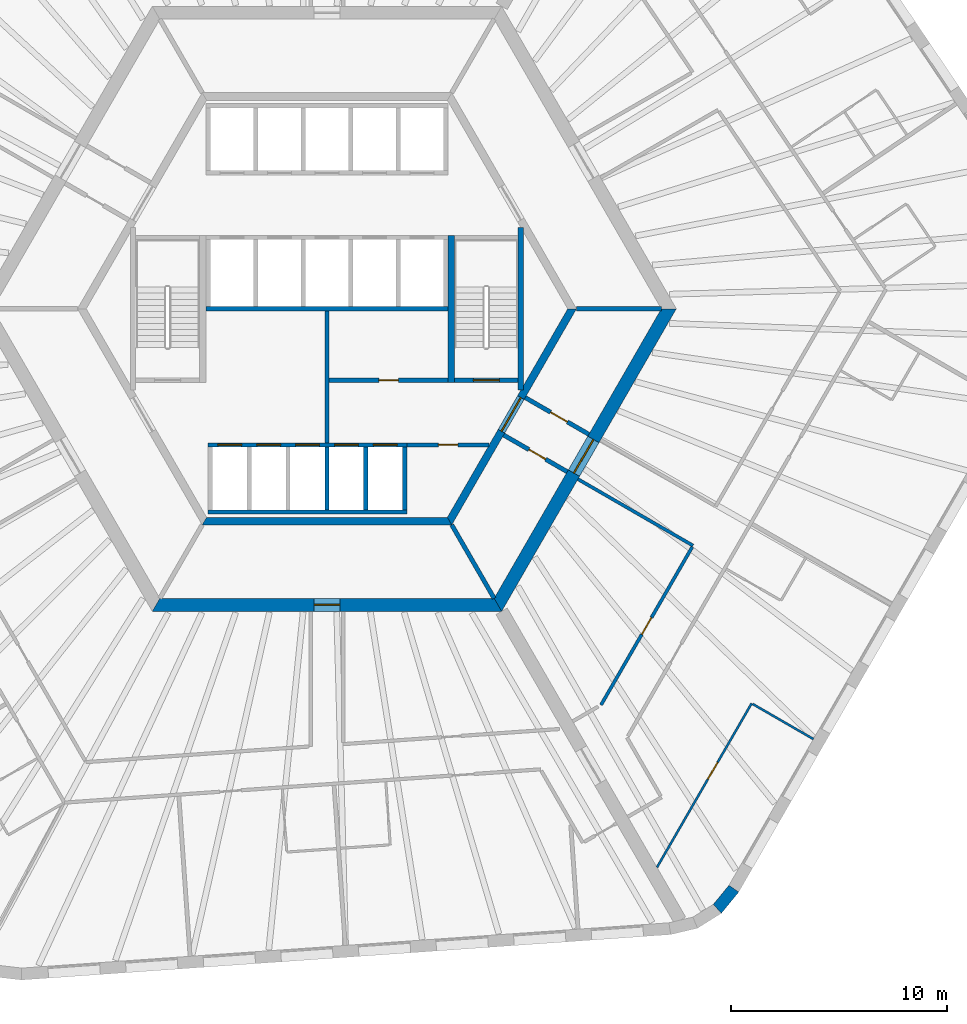
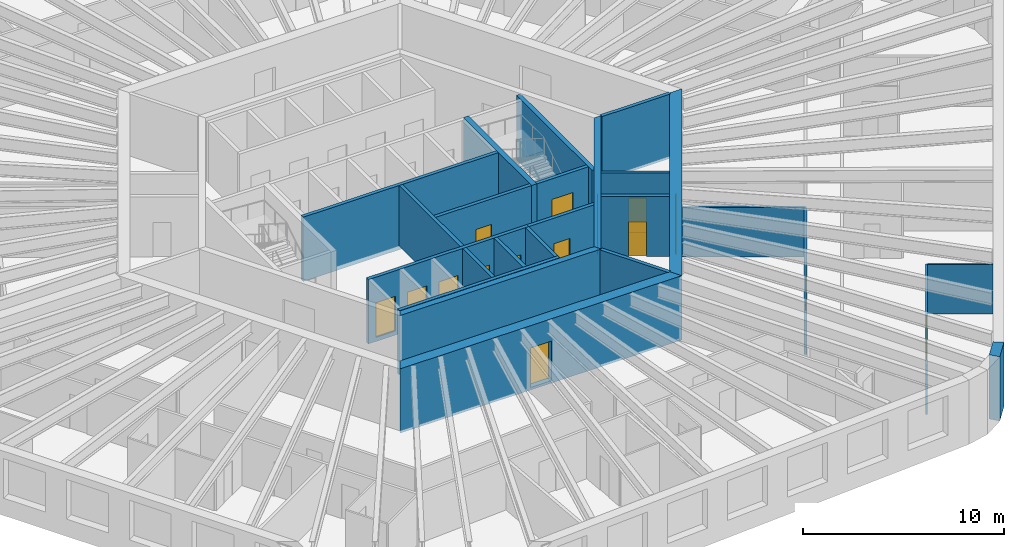
# One storey, part 5 of 12: 25 walls, 15 doors, 15 openings.
"""IFC4 building model written with IfcOpenShell, lengths in metres."""

from ifc_helpers import new_model, si_unit, direction, frame, frame_2d, origin, place, context, subcontext, project, spatial, polyline, rectangle, outline, extrude, material, layer, layer_set, type_object, element, fill, save


model = new_model("IFC4")

# Units and contexts
model_context = context("Model", 3, precision=1e-05, world=origin(), true_north=direction((0.0, 1.0)))
body_context = subcontext(model_context, "Body", "Model", "MODEL_VIEW")
ifc_project = project(units=[si_unit("LENGTHUNIT", "METRE"), si_unit("AREAUNIT", "SQUARE_METRE"), si_unit("VOLUMEUNIT", "CUBIC_METRE"), si_unit("PLANEANGLEUNIT", "RADIAN"), si_unit("MASSUNIT", "GRAM", prefix="KILO")], contexts=[model_context])

# Site, building, storey
site_placement = place(None, origin())
site = spatial("IfcSite", under=ifc_project, at=site_placement, CompositionType="ELEMENT")
building_placement = place(site_placement, origin())
building = spatial("IfcBuilding", under=site, at=building_placement, Name="Tarnside Tower", CompositionType="ELEMENT")
storey_placement = place(building_placement, frame((0.0, 0.0, 76.5)))
storey = spatial("IfcBuildingStorey", under=building, at=storey_placement, Name="L16", CompositionType="ELEMENT", Elevation=76.5)

# Wall
ifc_material_1 = material(Name="Concrete C50/60", Category="concrete")
ifc_layer_1 = layer(ifc_material_1, 0.35009765625)
ifc_layer_set_1 = layer_set([ifc_layer_1], Name="Core block wall 350 C50/60")
wall_type_1 = type_object("IfcWallType", Name="Core block wall 350 C50/60", PredefinedType="SHEAR", material=ifc_layer_set_1)
wall_1_placement = place(storey_placement, frame((-5.672607421875, -9.824951171875, -0.14990234375), z_axis=(0.0, 0.0, 1.0), x_axis=(1.0, 0.0, 0.0)))
element("IfcWall", 1, at=wall_1_placement, inside=storey, type_object=wall_type_1, Name="L16 core block wall face 4", PredefinedType="SHEAR", context=body_context, shape_type="SweptSolid", body=[
    extrude(outline(polyline([(-0.10107421875, -0.175048828125), (11.4462890625, -0.175048828125), (11.244140625, 0.175048828125), (0.10107421875, 0.175048828125), (-0.10107421875, -0.175048828125)])), origin(), (0.0, 0.0, 1.0), 3.89990234375),
])

# Wall, opening, door
wall_2_placement = place(storey_placement, frame((5.672607421875, -9.824951171875, -0.14990234375), z_axis=(0.0, 0.0, 1.0), x_axis=(0.499995046907, 0.866028263435, 0.0)))
wall_2 = element("IfcWall", 2, at=wall_2_placement, inside=storey, type_object=wall_type_1, Name="L16 core block wall face 5", PredefinedType="SHEAR", context=body_context, shape_type="SweptSolid", body=[
    extrude(outline(polyline([(-0.10107421875, -0.175048828125), (11.44580078125, -0.175048828125), (11.24365234375, 0.175048828125), (0.10107421875, 0.175048828125), (-0.10107421875, -0.175048828125)])), origin(), (0.0, 0.0, 1.0), 3.89990234375),
])
opening_1_placement = place(wall_2_placement, frame((4.80126953125, 0.0, 0.14990234375)))
opening_1 = element("IfcOpeningElement", 3, at=opening_1_placement, cuts=wall_2, Name="Opening CD-FFL", PredefinedType="OPENING", context=body_context, shape_type="SweptSolid", body=[
    extrude(rectangle(XDim=1.800048828125, YDim=2.39990234375, at=frame_2d((0.89990234375, 1.199951171875))), frame((0.0, 0.18505859375, 0.0), z_axis=(0.0, -1.0, 0.0), x_axis=(1.0, 0.0, 0.0)), (0.0, 0.0, 1.0), 0.3701171875),
])
ifc_material_2 = material(Name="Steel fire door", Category="steel")
door_type_1 = type_object("IfcDoorType", Name="Firefighting lobby double door FD60S 1800x2400", OperationType="NOTDEFINED", PredefinedType="DOOR", material=ifc_material_2)
door_1_placement = place(opening_1_placement, origin())
door_1 = element("IfcDoor", 4, at=door_1_placement, inside=storey, type_object=door_type_1, Name="L16 lobby block door P4", OperationType="DOUBLE_DOOR_SINGLE_SWING", OverallHeight=2.39990234375, OverallWidth=1.800048828125, PredefinedType="DOOR", context=body_context, shape_type="SweptSolid", body=[
    extrude(rectangle(XDim=1.800048828125, YDim=2.39990234375, at=frame_2d((0.89990234375, 1.199951171875))), frame((0.0, 0.02490234375, 0.0), z_axis=(0.0, -1.0, 0.0), x_axis=(1.0, 0.0, 0.0)), (0.0, 0.0, 1.0), 0.050048828125),
])
fill(opening_1, door_1)

ifc_material_3 = material(Name="Concrete C40/50", Category="concrete")
ifc_layer_2 = layer(ifc_material_3, 0.199951171875)
ifc_layer_set_2 = layer_set([ifc_layer_2], Name="Core room partition 200 C40/50")
wall_type_2 = type_object("IfcWallType", Name="Core room partition 200 C40/50", PredefinedType="PARTITIONING", material=ifc_layer_set_2)
wall_3_placement = place(storey_placement, frame((0.10009765625, -3.300048828125, 0.0), z_axis=(0.0, 0.0, 1.0), x_axis=(1.0, 0.0, 0.0)))
wall_3 = element("IfcWall", 5, at=wall_3_placement, inside=storey, type_object=wall_type_2, Name="L16 core partition R3S1", PredefinedType="PARTITIONING", context=body_context, shape_type="SweptSolid", body=[
    extrude(rectangle(XDim=5.5, YDim=0.199951171875, at=frame_2d((2.75, 0.0))), origin(), (0.0, 0.0, 1.0), 3.64990234375),
])
opening_2_placement = place(wall_3_placement, frame((2.300048828125, 0.0, 0.0)))
opening_2 = element("IfcOpeningElement", 6, at=opening_2_placement, cuts=wall_3, Name="Opening CD-room", PredefinedType="OPENING", context=body_context, shape_type="SweptSolid", body=[
    extrude(rectangle(XDim=0.89990234375, YDim=2.10009765625, at=frame_2d((0.449951171875, 1.050048828125))), frame((0.0, 0.10986328125, 0.0), z_axis=(0.0, -1.0, 0.0), x_axis=(1.0, 0.0, 0.0)), (0.0, 0.0, 1.0), 0.219970703125),
])
door_type_2 = type_object("IfcDoorType", Name="Room door FD60 900x2100", OperationType="NOTDEFINED", PredefinedType="DOOR", material=ifc_material_2)
door_2_placement = place(opening_2_placement, origin())
door_2 = element("IfcDoor", 7, at=door_2_placement, inside=storey, type_object=door_type_2, Name="L16 core room door SR1", OperationType="SINGLE_SWING_LEFT", OverallHeight=2.10009765625, OverallWidth=0.89990234375, PredefinedType="DOOR", context=body_context, shape_type="SweptSolid", body=[
    extrude(rectangle(XDim=0.89990234375, YDim=2.10009765625, at=frame_2d((0.449951171875, 1.050048828125))), frame((0.0, 0.02490234375, 0.0), z_axis=(0.0, -1.0, 0.0), x_axis=(1.0, 0.0, 0.0)), (0.0, 0.0, 1.0), 0.050048828125),
])
fill(opening_2, door_2)

# Wall
wall_4_placement = place(storey_placement, frame((0.0, -6.199951171875, 0.0), z_axis=(0.0, 0.0, 1.0), x_axis=(0.0, 1.0, 0.0)))
element("IfcWall", 8, at=wall_4_placement, inside=storey, type_object=wall_type_2, Name="L16 core partition X0", PredefinedType="PARTITIONING", context=body_context, shape_type="SweptSolid", body=[
    extrude(rectangle(XDim=6.099853515625, YDim=0.199951171875, at=frame_2d((3.0498046875, 0.0))), origin(), (0.0, 0.0, 1.0), 3.64990234375),
])

# Wall, opening, door
wall_5_placement = place(storey_placement, frame((3.699951171875, -6.300048828125, 0.0), z_axis=(0.0, 0.0, 1.0), x_axis=(1.0, 0.0, 0.0)))
wall_5 = element("IfcWall", 9, at=wall_5_placement, inside=storey, type_object=wall_type_2, Name="L16 core partition R4X", PredefinedType="PARTITIONING", context=body_context, shape_type="SweptSolid", body=[
    extrude(rectangle(XDim=3.8056640625, YDim=0.199951171875, at=frame_2d((1.90283203125, 0.0))), origin(), (0.0, 0.0, 1.0), 3.64990234375),
])
opening_3_placement = place(wall_5_placement, frame((1.452880859375, 0.0, 0.0)))
opening_3 = element("IfcOpeningElement", 10, at=opening_3_placement, cuts=wall_5, Name="Opening CD-room", PredefinedType="OPENING", context=body_context, shape_type="SweptSolid", body=[
    extrude(rectangle(XDim=0.89990234375, YDim=2.10009765625, at=frame_2d((0.449951171875, 1.050048828125))), frame((0.0, 0.10986328125, 0.0), z_axis=(0.0, -1.0, 0.0), x_axis=(1.0, 0.0, 0.0)), (0.0, 0.0, 1.0), 0.219970703125),
])
door_3_placement = place(opening_3_placement, origin())
door_3 = element("IfcDoor", 11, at=door_3_placement, inside=storey, type_object=door_type_2, Name="L16 core room door RX", OperationType="SINGLE_SWING_LEFT", OverallHeight=2.10009765625, OverallWidth=0.89990234375, PredefinedType="DOOR", context=body_context, shape_type="SweptSolid", body=[
    extrude(rectangle(XDim=0.89990234375, YDim=2.10009765625, at=frame_2d((0.449951171875, 1.050048828125))), frame((0.0, 0.02490234375, 0.0), z_axis=(0.0, -1.0, 0.0), x_axis=(1.0, 0.0, 0.0)), (0.0, 0.0, 1.0), 0.050048828125),
])
fill(opening_3, door_3)

wall_6_placement = place(storey_placement, frame((9.1748046875, -4.10888671875, 0.0), z_axis=(0.0, 0.0, 1.0), x_axis=(0.865989465428, -0.500062241894, 0.0)))
wall_6 = element("IfcWall", 12, at=wall_6_placement, inside=storey, type_object=wall_type_2, Name="L16 core partition AC4L", PredefinedType="PARTITIONING", context=body_context, shape_type="SweptSolid", body=[
    extrude(rectangle(XDim=3.39990234375, YDim=0.199951171875, at=frame_2d((1.699951171875, 0.0))), origin(), (0.0, 0.0, 1.0), 3.64990234375),
])
opening_4_placement = place(wall_6_placement, frame((1.3505859375, 0.0, 0.0)))
opening_4 = element("IfcOpeningElement", 13, at=opening_4_placement, cuts=wall_6, Name="Opening CD-room", PredefinedType="OPENING", context=body_context, shape_type="SweptSolid", body=[
    extrude(rectangle(XDim=0.89990234375, YDim=2.10009765625, at=frame_2d((0.449951171875, 1.050048828125))), frame((0.0, 0.10986328125, 0.0), z_axis=(0.0, -1.0, 0.0), x_axis=(1.0, 0.0, 0.0)), (0.0, 0.0, 1.0), 0.219970703125),
])
door_4_placement = place(opening_4_placement, origin())
door_4 = element("IfcDoor", 14, at=door_4_placement, inside=storey, type_object=door_type_2, Name="L16 core room door AX4L", OperationType="SINGLE_SWING_LEFT", OverallHeight=2.10009765625, OverallWidth=0.89990234375, PredefinedType="DOOR", context=body_context, shape_type="SweptSolid", body=[
    extrude(rectangle(XDim=0.89990234375, YDim=2.10009765625, at=frame_2d((0.449951171875, 1.050048828125))), frame((0.0, 0.02490234375, 0.0), z_axis=(0.0, -1.0, 0.0), x_axis=(1.0, 0.0, 0.0)), (0.0, 0.0, 1.0), 0.050048828125),
])
fill(opening_4, door_4)

wall_7_placement = place(storey_placement, frame((8.1748046875, -5.841064453125, 0.0), z_axis=(0.0, 0.0, 1.0), x_axis=(0.866020560687, -0.500008388397, 0.0)))
wall_7 = element("IfcWall", 15, at=wall_7_placement, inside=storey, type_object=wall_type_2, Name="L16 core partition AC4R", PredefinedType="PARTITIONING", context=body_context, shape_type="SweptSolid", body=[
    extrude(rectangle(XDim=3.39990234375, YDim=0.199951171875, at=frame_2d((1.699951171875, 0.0))), origin(), (0.0, 0.0, 1.0), 3.64990234375),
])
opening_5_placement = place(wall_7_placement, frame((1.349609375, 0.0, 0.0)))
opening_5 = element("IfcOpeningElement", 16, at=opening_5_placement, cuts=wall_7, Name="Opening CD-room", PredefinedType="OPENING", context=body_context, shape_type="SweptSolid", body=[
    extrude(rectangle(XDim=0.89990234375, YDim=2.10009765625, at=frame_2d((0.449951171875, 1.050048828125))), frame((0.0, 0.10986328125, 0.0), z_axis=(0.0, -1.0, 0.0), x_axis=(1.0, 0.0, 0.0)), (0.0, 0.0, 1.0), 0.219970703125),
])
door_5_placement = place(opening_5_placement, origin())
door_5 = element("IfcDoor", 17, at=door_5_placement, inside=storey, type_object=door_type_2, Name="L16 core room door AX4R", OperationType="SINGLE_SWING_LEFT", OverallHeight=2.10009765625, OverallWidth=0.89990234375, PredefinedType="DOOR", context=body_context, shape_type="SweptSolid", body=[
    extrude(rectangle(XDim=0.89990234375, YDim=2.10009765625, at=frame_2d((0.449951171875, 1.050048828125))), frame((0.0, 0.02490234375, 0.0), z_axis=(0.0, -1.0, 0.0), x_axis=(1.0, 0.0, 0.0)), (0.0, 0.0, 1.0), 0.050048828125),
])
fill(opening_5, door_5)

ifc_material_4 = material(Name="Concrete C80/95", Category="concrete")
ifc_layer_3 = layer(ifc_material_4, 0.60009765625)
ifc_layer_set_3 = layer_set([ifc_layer_3], Name="Core wall Z1 600 C80/95")
wall_type_3 = type_object("IfcWallType", Name="Core wall Z1 600 C80/95", PredefinedType="SHEAR", material=ifc_layer_set_3)
wall_8_placement = place(storey_placement, frame((-7.90966796875, -13.699951171875, -0.14990234375), z_axis=(0.0, 0.0, 1.0), x_axis=(1.0, 0.0, 0.0)))
wall_8 = element("IfcWall", 18, at=wall_8_placement, inside=storey, type_object=wall_type_3, Name="L16 core wall face 4", PredefinedType="SHEAR", context=body_context, shape_type="SweptSolid", body=[
    extrude(outline(polyline([(-0.17333984375, -0.300048828125), (15.99267578125, -0.300048828125), (15.64599609375, 0.300048828125), (0.17333984375, 0.300048828125), (-0.17333984375, -0.300048828125)])), origin(), (0.0, 0.0, 1.0), 3.89990234375),
])
opening_6_placement = place(wall_8_placement, frame((7.309814453125, 0.0, 0.14990234375)))
opening_6 = element("IfcOpeningElement", 19, at=opening_6_placement, cuts=wall_8, Name="Opening CD-RSR", PredefinedType="OPENING", context=body_context, shape_type="SweptSolid", body=[
    extrude(rectangle(XDim=1.199951171875, YDim=2.39990234375, at=frame_2d((0.60009765625, 1.199951171875))), frame((0.0, 0.31005859375, 0.0), z_axis=(0.0, -1.0, 0.0), x_axis=(1.0, 0.0, 0.0)), (0.0, 0.0, 1.0), 0.6201171875),
])
door_type_3 = type_object("IfcDoorType", Name="Riser door FD60 1200x2400", OperationType="NOTDEFINED", PredefinedType="DOOR", material=ifc_material_2)
door_6_placement = place(opening_6_placement, origin())
door_6 = element("IfcDoor", 20, at=door_6_placement, inside=storey, type_object=door_type_3, Name="L16 core door S6", OperationType="SINGLE_SWING_LEFT", OverallHeight=2.39990234375, OverallWidth=1.199951171875, PredefinedType="DOOR", context=body_context, shape_type="SweptSolid", body=[
    extrude(rectangle(XDim=1.199951171875, YDim=2.39990234375, at=frame_2d((0.60009765625, 1.199951171875))), frame((0.0, 0.02490234375, 0.0), z_axis=(0.0, -1.0, 0.0), x_axis=(1.0, 0.0, 0.0)), (0.0, 0.0, 1.0), 0.050048828125),
])
fill(opening_6, door_6)

wall_9_placement = place(storey_placement, frame((7.90966796875, -13.699951171875, -0.14990234375), z_axis=(0.0, 0.0, 1.0), x_axis=(0.499999880136, 0.866025472988, 0.0)))
wall_9 = element("IfcWall", 21, at=wall_9_placement, inside=storey, type_object=wall_type_3, Name="L16 core wall face 5", PredefinedType="SHEAR", context=body_context, shape_type="SweptSolid", body=[
    extrude(outline(polyline([(-0.17333984375, -0.300048828125), (15.99267578125, -0.300048828125), (15.64599609375, 0.300048828125), (0.17333984375, 0.300048828125), (-0.17333984375, -0.300048828125)])), origin(), (0.0, 0.0, 1.0), 3.89990234375),
])
opening_7_placement = place(wall_9_placement, frame((7.03857421875, 0.0, 0.14990234375)))
opening_7 = element("IfcOpeningElement", 22, at=opening_7_placement, cuts=wall_9, Name="Opening CD-FFL", PredefinedType="OPENING", context=body_context, shape_type="SweptSolid", body=[
    extrude(rectangle(XDim=1.800048828125, YDim=2.39990234375, at=frame_2d((0.89990234375, 1.199951171875))), frame((0.0, 0.31005859375, 0.0), z_axis=(0.0, -1.0, 0.0), x_axis=(1.0, 0.0, 0.0)), (0.0, 0.0, 1.0), 0.6201171875),
])
door_7_placement = place(opening_7_placement, origin())
door_7 = element("IfcDoor", 23, at=door_7_placement, inside=storey, type_object=door_type_1, Name="L16 core door P4", OperationType="DOUBLE_DOOR_SINGLE_SWING", OverallHeight=2.39990234375, OverallWidth=1.800048828125, PredefinedType="DOOR", context=body_context, shape_type="SweptSolid", body=[
    extrude(rectangle(XDim=1.800048828125, YDim=2.39990234375, at=frame_2d((0.89990234375, 1.199951171875))), frame((0.0, 0.02490234375, 0.0), z_axis=(0.0, -1.0, 0.0), x_axis=(1.0, 0.0, 0.0)), (0.0, 0.0, 1.0), 0.050048828125),
])
fill(opening_7, door_7)

# Wall
ifc_material_5 = material(Name="Gypsum board partition on steel studs", Category="steel")
ifc_layer_4 = layer(ifc_material_5, 0.14990234375)
ifc_layer_set_4 = layer_set([ifc_layer_4], Name="Corridor wall 150 EI 60")
wall_type_4 = type_object("IfcWallType", Name="Corridor wall 150 EI 60", PredefinedType="PARTITIONING", material=ifc_layer_set_4)
wall_10_placement = place(storey_placement, frame((11.61376953125, -7.88427734375, 0.0), z_axis=(0.0, 0.0, 1.0), x_axis=(0.866033542371, -0.499985903289, 0.0)))
element("IfcWall", 24, at=wall_10_placement, inside=storey, type_object=wall_type_4, Name="Corridor wall 04071", PredefinedType="PARTITIONING", context=body_context, shape_type="SweptSolid", body=[
    extrude(rectangle(XDim=6.150146484375, YDim=0.14990234375, at=frame_2d((3.0751953125, 0.0))), origin(), (0.0, 0.0, 1.0), 2.98779296875),
])

# Wall, opening, door
wall_11_placement = place(storey_placement, frame((16.90234375, -11.024169921875, 0.0), z_axis=(0.0, 0.0, 1.0), x_axis=(-0.499999527968, -0.866025676312, 0.0)))
wall_11 = element("IfcWall", 25, at=wall_11_placement, inside=storey, type_object=wall_type_4, Name="Corridor wall 04072", PredefinedType="PARTITIONING", context=body_context, shape_type="SweptSolid", body=[
    extrude(rectangle(XDim=8.44091796875, YDim=0.14990234375, at=frame_2d((4.220458984375, 0.0))), origin(), (0.0, 0.0, 1.0), 2.98779296875),
])
opening_8_placement = place(wall_11_placement, frame((3.7705078125, 0.0, 0.0)))
opening_8 = element("IfcOpeningElement", 26, at=opening_8_placement, cuts=wall_11, Name="Opening D-S1", PredefinedType="OPENING", context=body_context, shape_type="SweptSolid", body=[
    extrude(rectangle(XDim=0.89990234375, YDim=2.10009765625, at=frame_2d((0.449951171875, 1.050048828125))), frame((0.0, 0.0849609375, 0.0), z_axis=(0.0, -1.0, 0.0), x_axis=(1.0, 0.0, 0.0)), (0.0, 0.0, 1.0), 0.169921875),
])
ifc_material_6 = material(Name="Timber door leaf", Category="wood")
door_type_4 = type_object("IfcDoorType", Name="Service room door 900 FD30S", OperationType="NOTDEFINED", PredefinedType="DOOR", material=ifc_material_6)
door_8_placement = place(opening_8_placement, origin())
door_8 = element("IfcDoor", 27, at=door_8_placement, inside=storey, type_object=door_type_4, Name="Service door 04048", OperationType="SINGLE_SWING_RIGHT", OverallHeight=2.10009765625, OverallWidth=0.89990234375, PredefinedType="DOOR", context=body_context, shape_type="SweptSolid", body=[
    extrude(rectangle(XDim=0.89990234375, YDim=2.10009765625, at=frame_2d((0.449951171875, 1.050048828125))), frame((0.0, 0.02490234375, 0.0), z_axis=(0.0, -1.0, 0.0), x_axis=(1.0, 0.0, 0.0)), (0.0, 0.0, 1.0), 0.050048828125),
])
fill(opening_8, door_8)

# Wall
ifc_layer_5 = layer(ifc_material_3, 0.199951171875)
ifc_layer_set_5 = layer_set([ifc_layer_5], Name="Lift shaft wall 200 C40/50")
wall_type_5 = type_object("IfcWallType", Name="Lift shaft wall 200 C40/50", PredefinedType="SHEAR", material=ifc_layer_set_5)
wall_12_placement = place(storey_placement, frame((-5.60009765625, 0.0, -0.25), z_axis=(0.0, 0.0, 1.0), x_axis=(1.0, 0.0, 0.0)))
element("IfcWall", 28, at=wall_12_placement, inside=storey, type_object=wall_type_5, Name="L16 lift shaft back wall R2", PredefinedType="SHEAR", context=body_context, shape_type="SweptSolid", body=[
    extrude(rectangle(XDim=11.2001953125, YDim=0.199951171875, at=frame_2d((5.60009765625, 0.0))), origin(), (0.0, 0.0, 1.0), 3.89990234375),
])

# Wall, openings, doors
wall_13_placement = place(storey_placement, frame((-5.5, -6.300048828125, -0.25), z_axis=(0.0, 0.0, 1.0), x_axis=(1.0, 0.0, 0.0)))
wall_13 = element("IfcWall", 29, at=wall_13_placement, inside=storey, type_object=wall_type_5, Name="L16 lift shaft front wall R4", PredefinedType="SHEAR", context=body_context, shape_type="SweptSolid", body=[
    extrude(rectangle(XDim=9.199951171875, YDim=0.199951171875, at=frame_2d((4.60009765625, 0.0))), origin(), (0.0, 0.0, 1.0), 3.89990234375),
])
opening_9_placement = place(wall_13_placement, frame((0.449951171875, 0.0, 0.25)))
opening_9 = element("IfcOpeningElement", 30, at=opening_9_placement, cuts=wall_13, Name="Opening LDF", PredefinedType="OPENING", context=body_context, shape_type="SweptSolid", body=[
    extrude(rectangle(XDim=1.10009765625, YDim=2.10009765625, at=frame_2d((0.550048828125, 1.050048828125))), frame((0.0, 0.10986328125, 0.0), z_axis=(0.0, -1.0, 0.0), x_axis=(1.0, 0.0, 0.0)), (0.0, 0.0, 1.0), 0.219970703125),
])
opening_10_placement = place(wall_13_placement, frame((2.25, 0.0, 0.25)))
opening_10 = element("IfcOpeningElement", 31, at=opening_10_placement, cuts=wall_13, Name="Opening LDF", PredefinedType="OPENING", context=body_context, shape_type="SweptSolid", body=[
    extrude(rectangle(XDim=1.10009765625, YDim=2.10009765625, at=frame_2d((0.550048828125, 1.050048828125))), frame((0.0, 0.10986328125, 0.0), z_axis=(0.0, -1.0, 0.0), x_axis=(1.0, 0.0, 0.0)), (0.0, 0.0, 1.0), 0.219970703125),
])
opening_11_placement = place(wall_13_placement, frame((4.050048828125, 0.0, 0.25)))
opening_11 = element("IfcOpeningElement", 32, at=opening_11_placement, cuts=wall_13, Name="Opening LDF", PredefinedType="OPENING", context=body_context, shape_type="SweptSolid", body=[
    extrude(rectangle(XDim=1.10009765625, YDim=2.10009765625, at=frame_2d((0.550048828125, 1.050048828125))), frame((0.0, 0.10986328125, 0.0), z_axis=(0.0, -1.0, 0.0), x_axis=(1.0, 0.0, 0.0)), (0.0, 0.0, 1.0), 0.219970703125),
])
opening_12_placement = place(wall_13_placement, frame((5.85009765625, 0.0, 0.25)))
opening_12 = element("IfcOpeningElement", 33, at=opening_12_placement, cuts=wall_13, Name="Opening LDF", PredefinedType="OPENING", context=body_context, shape_type="SweptSolid", body=[
    extrude(rectangle(XDim=1.10009765625, YDim=2.10009765625, at=frame_2d((0.550048828125, 1.050048828125))), frame((0.0, 0.10986328125, 0.0), z_axis=(0.0, -1.0, 0.0), x_axis=(1.0, 0.0, 0.0)), (0.0, 0.0, 1.0), 0.219970703125),
])
opening_13_placement = place(wall_13_placement, frame((7.64990234375, 0.0, 0.25)))
opening_13 = element("IfcOpeningElement", 34, at=opening_13_placement, cuts=wall_13, Name="Opening LDF", PredefinedType="OPENING", context=body_context, shape_type="SweptSolid", body=[
    extrude(rectangle(XDim=1.10009765625, YDim=2.10009765625, at=frame_2d((0.550048828125, 1.050048828125))), frame((0.0, 0.10986328125, 0.0), z_axis=(0.0, -1.0, 0.0), x_axis=(1.0, 0.0, 0.0)), (0.0, 0.0, 1.0), 0.219970703125),
])
ifc_material_7 = material(Name="Stainless steel", Category="steel")
door_type_5 = type_object("IfcDoorType", Name="Lift landing door 1100x2100 EI 120", OperationType="NOTDEFINED", PredefinedType="DOOR", material=ifc_material_7)
door_9_placement = place(opening_9_placement, origin())
door_9 = element("IfcDoor", 35, at=door_9_placement, inside=storey, type_object=door_type_5, Name="Firefighting lift 1 landing door L16", OperationType="SLIDING_TO_LEFT", OverallHeight=2.10009765625, OverallWidth=1.10009765625, PredefinedType="DOOR", context=body_context, shape_type="SweptSolid", body=[
    extrude(rectangle(XDim=1.10009765625, YDim=2.10009765625, at=frame_2d((0.550048828125, 1.050048828125))), frame((0.0, 0.02490234375, 0.0), z_axis=(0.0, -1.0, 0.0), x_axis=(1.0, 0.0, 0.0)), (0.0, 0.0, 1.0), 0.050048828125),
])
fill(opening_9, door_9)
door_10_placement = place(opening_10_placement, origin())
door_10 = element("IfcDoor", 36, at=door_10_placement, inside=storey, type_object=door_type_5, Name="Firefighting lift 2 landing door L16", OperationType="SLIDING_TO_LEFT", OverallHeight=2.10009765625, OverallWidth=1.10009765625, PredefinedType="DOOR", context=body_context, shape_type="SweptSolid", body=[
    extrude(rectangle(XDim=1.10009765625, YDim=2.10009765625, at=frame_2d((0.550048828125, 1.050048828125))), frame((0.0, 0.02490234375, 0.0), z_axis=(0.0, -1.0, 0.0), x_axis=(1.0, 0.0, 0.0)), (0.0, 0.0, 1.0), 0.050048828125),
])
fill(opening_10, door_10)
door_11_placement = place(opening_11_placement, origin())
door_11 = element("IfcDoor", 37, at=door_11_placement, inside=storey, type_object=door_type_5, Name="Firefighting lift 3 landing door L16", OperationType="SLIDING_TO_LEFT", OverallHeight=2.10009765625, OverallWidth=1.10009765625, PredefinedType="DOOR", context=body_context, shape_type="SweptSolid", body=[
    extrude(rectangle(XDim=1.10009765625, YDim=2.10009765625, at=frame_2d((0.550048828125, 1.050048828125))), frame((0.0, 0.02490234375, 0.0), z_axis=(0.0, -1.0, 0.0), x_axis=(1.0, 0.0, 0.0)), (0.0, 0.0, 1.0), 0.050048828125),
])
fill(opening_11, door_11)
door_12_placement = place(opening_12_placement, origin())
door_12 = element("IfcDoor", 38, at=door_12_placement, inside=storey, type_object=door_type_5, Name="Firefighting lift 4 landing door L16", OperationType="SLIDING_TO_LEFT", OverallHeight=2.10009765625, OverallWidth=1.10009765625, PredefinedType="DOOR", context=body_context, shape_type="SweptSolid", body=[
    extrude(rectangle(XDim=1.10009765625, YDim=2.10009765625, at=frame_2d((0.550048828125, 1.050048828125))), frame((0.0, 0.02490234375, 0.0), z_axis=(0.0, -1.0, 0.0), x_axis=(1.0, 0.0, 0.0)), (0.0, 0.0, 1.0), 0.050048828125),
])
fill(opening_12, door_12)
door_13_placement = place(opening_13_placement, origin())
door_13 = element("IfcDoor", 39, at=door_13_placement, inside=storey, type_object=door_type_5, Name="Firefighting lift 5 landing door L16", OperationType="SLIDING_TO_LEFT", OverallHeight=2.10009765625, OverallWidth=1.10009765625, PredefinedType="DOOR", context=body_context, shape_type="SweptSolid", body=[
    extrude(rectangle(XDim=1.10009765625, YDim=2.10009765625, at=frame_2d((0.550048828125, 1.050048828125))), frame((0.0, 0.02490234375, 0.0), z_axis=(0.0, -1.0, 0.0), x_axis=(1.0, 0.0, 0.0)), (0.0, 0.0, 1.0), 0.050048828125),
])
fill(opening_13, door_13)

# Walls
wall_14_placement = place(storey_placement, frame((-5.5, -9.39990234375, -0.25), z_axis=(0.0, 0.0, 1.0), x_axis=(1.0, 0.0, 0.0)))
element("IfcWall", 40, at=wall_14_placement, inside=storey, type_object=wall_type_5, Name="L16 lift shaft back wall R4", PredefinedType="SHEAR", context=body_context, shape_type="SweptSolid", body=[
    extrude(rectangle(XDim=9.199951171875, YDim=0.199951171875, at=frame_2d((4.60009765625, 0.0))), origin(), (0.0, 0.0, 1.0), 3.89990234375),
])
for number, where, z_axis, x_axis, name in (
    (41, (0.0, -9.300048828125, -0.25), (0.0, 0.0, 1.0), (0.0, 1.0, 0.0), "L16 lift shaft partition R44"),
    (42, (1.800048828125, -9.300048828125, -0.25), (0.0, 0.0, 1.0), (0.0, 1.0, 0.0), "L16 lift shaft partition R45"),
    (43, (3.60009765625, -9.300048828125, -0.25), (0.0, 0.0, 1.0), (0.0, 1.0, 0.0), "L16 lift shaft partition R46"),
):
    element("IfcWall", number, at=place(storey_placement, frame(where, z_axis=z_axis, x_axis=x_axis)), inside=storey, type_object=wall_type_5, Name=name, PredefinedType="SHEAR", context=body_context, shape_type="SweptSolid", body=[
        extrude(rectangle(XDim=2.900146484375, YDim=0.199951171875, at=frame_2d((1.4501953125, 0.0))), origin(), (0.0, 0.0, 1.0), 3.89990234375),
    ])
wall_15_placement = place(storey_placement, frame((11.547119140625, 0.0, -0.14990234375), z_axis=(0.0, 0.0, 1.0), x_axis=(1.0, 0.0, 0.0)))
element("IfcWall", 44, at=wall_15_placement, inside=storey, type_object=wall_type_5, Name="L16 core partition AR0", PredefinedType="SHEAR", context=body_context, shape_type="SweptSolid", body=[
    extrude(rectangle(XDim=3.92578125, YDim=0.199951171875, at=frame_2d((1.962890625, 0.0))), origin(), (0.0, 0.0, 1.0), 3.89990234375),
])
wall_16_placement = place(storey_placement, frame((5.7734375, -10.0, -0.14990234375), z_axis=(0.0, 0.0, 1.0), x_axis=(0.500038251005, -0.86600331843, 0.0)))
element("IfcWall", 45, at=wall_16_placement, inside=storey, type_object=wall_type_5, Name="L16 core partition AR300", PredefinedType="SHEAR", context=body_context, shape_type="SweptSolid", body=[
    extrude(rectangle(XDim=3.926025390625, YDim=0.199951171875, at=frame_2d((1.962890625, 0.0))), origin(), (0.0, 0.0, 1.0), 3.89990234375),
])

# Wall, opening, door
wall_17_placement = place(storey_placement, frame((5.89990234375, -3.300048828125, -0.25), z_axis=(0.0, 0.0, 1.0), x_axis=(1.0, 0.0, 0.0)))
wall_17 = element("IfcWall", 46, at=wall_17_placement, inside=storey, type_object=wall_type_5, Name="L16 stair 1 enclosure cap wall s", PredefinedType="SHEAR", context=body_context, shape_type="SweptSolid", body=[
    extrude(rectangle(XDim=2.9501953125, YDim=0.199951171875, at=frame_2d((1.47509765625, 0.0))), origin(), (0.0, 0.0, 1.0), 3.89990234375),
])
opening_14_placement = place(wall_17_placement, frame((0.875, 0.0, 0.25)))
opening_14 = element("IfcOpeningElement", 47, at=opening_14_placement, cuts=wall_17, Name="Opening CD-STR", PredefinedType="OPENING", context=body_context, shape_type="SweptSolid", body=[
    extrude(rectangle(XDim=1.199951171875, YDim=2.39990234375, at=frame_2d((0.60009765625, 1.199951171875))), frame((0.0, 0.10986328125, 0.0), z_axis=(0.0, -1.0, 0.0), x_axis=(1.0, 0.0, 0.0)), (0.0, 0.0, 1.0), 0.219970703125),
])
door_type_6 = type_object("IfcDoorType", Name="Stair door FD60S 1200x2400", OperationType="NOTDEFINED", PredefinedType="DOOR", material=ifc_material_2)
door_14_placement = place(opening_14_placement, origin())
door_14 = element("IfcDoor", 48, at=door_14_placement, inside=storey, type_object=door_type_6, Name="L16 stair 1 door", OperationType="SINGLE_SWING_LEFT", OverallHeight=2.39990234375, OverallWidth=1.199951171875, PredefinedType="DOOR", context=body_context, shape_type="SweptSolid", body=[
    extrude(rectangle(XDim=1.199951171875, YDim=2.39990234375, at=frame_2d((0.60009765625, 1.199951171875))), frame((0.0, 0.02490234375, 0.0), z_axis=(0.0, -1.0, 0.0), x_axis=(1.0, 0.0, 0.0)), (0.0, 0.0, 1.0), 0.050048828125),
])
fill(opening_14, door_14)

ifc_layer_6 = layer(ifc_material_5, 0.10009765625)
ifc_layer_set_6 = layer_set([ifc_layer_6], Name="Partition 100")
wall_type_6 = type_object("IfcWallType", Name="Partition 100", PredefinedType="PARTITIONING", material=ifc_layer_set_6)
wall_18_placement = place(storey_placement, frame((15.27099609375, -25.85009765625, 0.0), z_axis=(0.0, 0.0, 1.0), x_axis=(0.499983733712, 0.866034794927, 0.0)))
wall_18 = element("IfcWall", 49, at=wall_18_placement, inside=storey, type_object=wall_type_6, Name="Partition wall 04129", PredefinedType="PARTITIONING", context=body_context, shape_type="SweptSolid", body=[
    extrude(rectangle(XDim=8.762451171875, YDim=0.10009765625, at=frame_2d((4.38134765625, 0.0))), origin(), (0.0, 0.0, 1.0), 2.98779296875),
])
opening_15_placement = place(wall_18_placement, frame((4.71240234375, 0.0, 0.0)))
opening_15 = element("IfcOpeningElement", 50, at=opening_15_placement, cuts=wall_18, Name="Opening D-I1", PredefinedType="OPENING", context=body_context, shape_type="SweptSolid", body=[
    extrude(rectangle(XDim=0.89990234375, YDim=2.10009765625, at=frame_2d((0.449951171875, 1.050048828125))), frame((0.0, 0.06005859375, 0.0), z_axis=(0.0, -1.0, 0.0), x_axis=(1.0, 0.0, 0.0)), (0.0, 0.0, 1.0), 0.1201171875),
])
door_type_7 = type_object("IfcDoorType", Name="Internal door 900", OperationType="NOTDEFINED", PredefinedType="DOOR", material=ifc_material_6)
door_15_placement = place(opening_15_placement, origin())
door_15 = element("IfcDoor", 51, at=door_15_placement, inside=storey, type_object=door_type_7, Name="Internal door 04030", OperationType="SINGLE_SWING_LEFT", OverallHeight=2.10009765625, OverallWidth=0.89990234375, PredefinedType="DOOR", context=body_context, shape_type="SweptSolid", body=[
    extrude(rectangle(XDim=0.89990234375, YDim=2.10009765625, at=frame_2d((0.449951171875, 1.050048828125))), frame((0.0, 0.02490234375, 0.0), z_axis=(0.0, -1.0, 0.0), x_axis=(1.0, 0.0, 0.0)), (0.0, 0.0, 1.0), 0.050048828125),
])
fill(opening_15, door_15)

# Walls
wall_19_placement = place(storey_placement, frame((19.6953125, -18.28662109375, 0.0), z_axis=(0.0, 0.0, 1.0), x_axis=(0.866034226713, -0.499984717929, 0.0)))
element("IfcWall", 52, at=wall_19_placement, inside=storey, type_object=wall_type_6, Name="Partition wall 04130", PredefinedType="PARTITIONING", context=body_context, shape_type="SweptSolid", body=[
    extrude(rectangle(XDim=3.25, YDim=0.10009765625, at=frame_2d((1.625, 0.0))), origin(), (0.0, 0.0, 1.0), 2.98779296875),
])
ifc_layer_7 = layer(ifc_material_3, 0.25)
ifc_layer_set_7 = layer_set([ifc_layer_7], Name="Stair enclosure wall 250 C40/50")
wall_type_7 = type_object("IfcWallType", Name="Stair enclosure wall 250 C40/50", PredefinedType="SHEAR", material=ifc_layer_set_7)
wall_20_placement = place(storey_placement, frame((8.97509765625, -3.7548828125, -0.25), z_axis=(0.0, 0.0, 1.0), x_axis=(0.0, 1.0, 0.0)))
element("IfcWall", 53, at=wall_20_placement, inside=storey, type_object=wall_type_7, Name="L16 stair 1 enclosure wall outer", PredefinedType="SHEAR", context=body_context, shape_type="SweptSolid", body=[
    extrude(rectangle(XDim=7.509765625, YDim=0.25, at=frame_2d((3.7548828125, 0.0))), origin(), (0.0, 0.0, 1.0), 3.89990234375),
])
ifc_layer_8 = layer(ifc_material_3, 0.300048828125)
ifc_layer_set_8 = layer_set([ifc_layer_8], Name="Stair enclosure wall 300 C40/50")
wall_type_8 = type_object("IfcWallType", Name="Stair enclosure wall 300 C40/50", PredefinedType="SHEAR", material=ifc_layer_set_8)
wall_21_placement = place(storey_placement, frame((5.75, -3.39990234375, -0.25), z_axis=(0.0, 0.0, 1.0), x_axis=(0.0, 1.0, 0.0)))
element("IfcWall", 54, at=wall_21_placement, inside=storey, type_object=wall_type_8, Name="L16 stair 1 enclosure wall inner", PredefinedType="SHEAR", context=body_context, shape_type="SweptSolid", body=[
    extrude(rectangle(XDim=6.7998046875, YDim=0.300048828125, at=frame_2d((3.39990234375, 0.0))), origin(), (0.0, 0.0, 1.0), 3.89990234375),
])
ifc_material_8 = material(Name="Facing brick", Category="masonry")
ifc_layer_9 = layer(ifc_material_8, 0.10205078125)
ifc_material_9 = material(Name="Concrete C60/75 precast", Category="concrete")
ifc_layer_10 = layer(ifc_material_9, 0.347900390625)
ifc_material_10 = material(Name="Mineral wool insulation")
ifc_layer_11 = layer(ifc_material_10, 0.10009765625)
ifc_layer_set_9 = layer_set([ifc_layer_9, ifc_layer_10, ifc_layer_11], Name="Tube wall 550 brick faced")
wall_type_9 = type_object("IfcWallType", Name="Tube wall 550 brick faced", PredefinedType="SOLIDWALL", material=ifc_layer_set_9)
wall_22_placement = place(storey_placement, frame((18.064453125, -27.769287109375, -0.14990234375), z_axis=(0.0, 0.0, 1.0), x_axis=(0.633842757806, 0.773461930787, 0.0)))
element("IfcWall", 55, at=wall_22_placement, inside=storey, type_object=wall_type_9, Name="Tube wall L16 F4 chord 15", PredefinedType="SOLIDWALL", context=body_context, shape_type="SweptSolid", body=[
    extrude(outline(polyline([(-0.045166015625, -0.27490234375), (1.230712890625, -0.27490234375), (1.185791015625, 0.27490234375), (0.045166015625, 0.27490234375), (-0.045166015625, -0.27490234375)])), origin(), (0.0, 0.0, 1.0), 3.89990234375),
])

save(model, "model.ifc")
